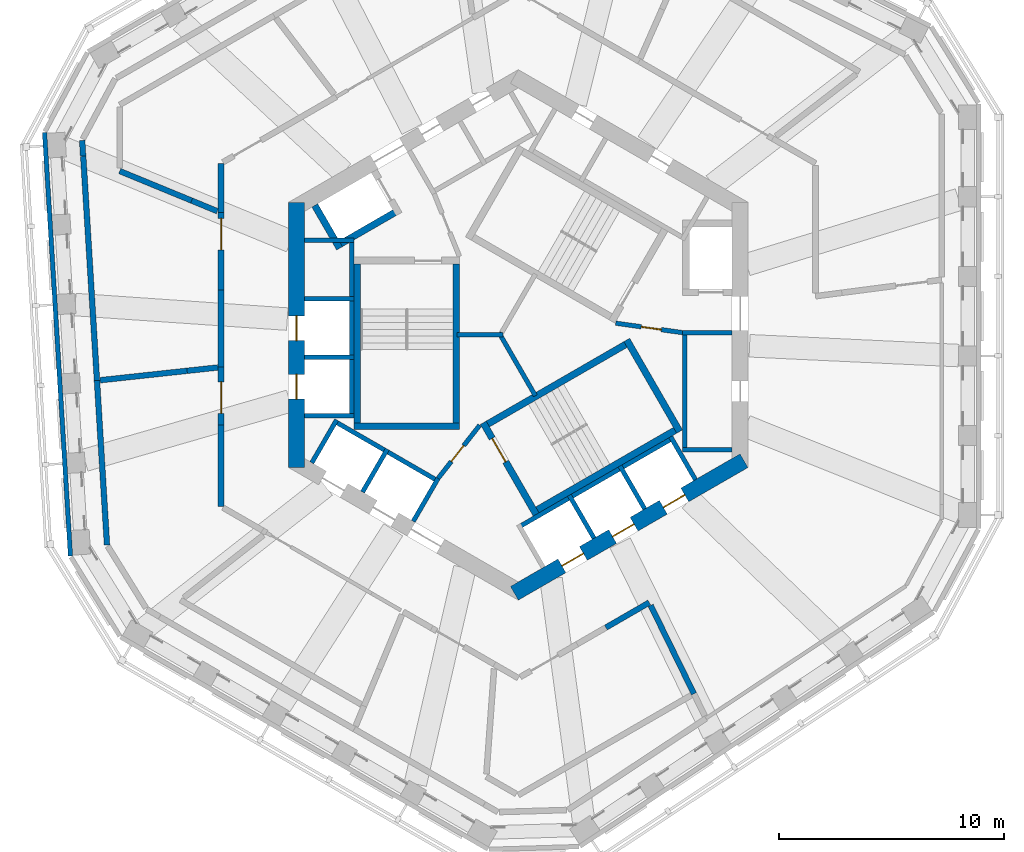
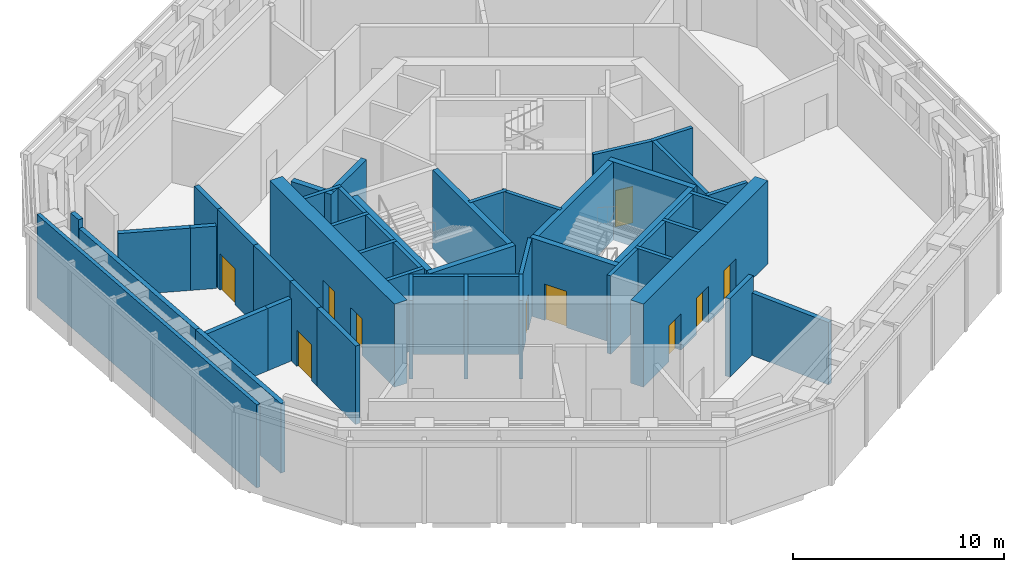
# One storey, part 6 of 14: 46 walls, 10 doors, 10 openings.
"""IFC4 building model written with IfcOpenShell, lengths in metres."""

from ifc_helpers import new_model, si_unit, direction, frame, frame_2d, origin, place, context, subcontext, project, spatial, rectangle, extrude, material, layer, layer_set, type_object, element, fill, save


model = new_model("IFC4")

# Units and contexts
model_context = context("Model", 3, precision=1e-05, world=origin(), true_north=direction((0.0, 1.0)))
body_context = subcontext(model_context, "Body", "Model", "MODEL_VIEW")
ifc_project = project(units=[si_unit("LENGTHUNIT", "METRE"), si_unit("AREAUNIT", "SQUARE_METRE"), si_unit("VOLUMEUNIT", "CUBIC_METRE"), si_unit("PLANEANGLEUNIT", "RADIAN"), si_unit("MASSUNIT", "GRAM", prefix="KILO")], contexts=[model_context])

# Site, building, storey
site_placement = place(None, origin())
site = spatial("IfcSite", under=ifc_project, at=site_placement, CompositionType="ELEMENT")
building_placement = place(site_placement, origin())
building = spatial("IfcBuilding", under=site, at=building_placement, Name="Vanh Sen Convention Tower", CompositionType="ELEMENT")
storey_placement = place(building_placement, frame((0.0, 0.0, 255.0)))
storey = spatial("IfcBuildingStorey", under=building, at=storey_placement, Name="L63", CompositionType="ELEMENT", Elevation=255.0)

# Walls
ifc_material_1 = material(Name="Concrete C40/50", Category="concrete")
ifc_layer_1 = layer(ifc_material_1, 0.25)
ifc_layer_set_1 = layer_set([ifc_layer_1], Name="Concrete C40/50")
wall_type_1 = type_object("IfcWallType", Name="Concrete wall 250 EI 180", PredefinedType="SOLIDWALL", material=ifc_layer_set_1)
wall_1_placement = place(storey_placement, frame((7.79931640625, -15.93408203125, 0.0), z_axis=(0.0, 0.0, 1.0), x_axis=(-0.439688100098, 0.898150530052, 0.0)))
element("IfcWall", 1, at=wall_1_placement, inside=storey, type_object=wall_type_1, Name="Fire-resisting wall L63-012", PredefinedType="SOLIDWALL", context=body_context, shape_type="SweptSolid", body=[
    extrude(rectangle(XDim=4.369384765625, YDim=0.25, at=frame_2d((2.1845703125, 0.0))), origin(), (0.0, 0.0, 1.0), 3.60009765625),
])
wall_2_placement = place(storey_placement, frame((3.889404296875, -12.99658203125, 0.0), z_axis=(0.0, 0.0, 1.0), x_axis=(0.866026623601, 0.49999788721, 0.0)))
element("IfcWall", 2, at=wall_2_placement, inside=storey, type_object=wall_type_1, Name="Fire-resisting wall L63-020", PredefinedType="SOLIDWALL", context=body_context, shape_type="SweptSolid", body=[
    extrude(rectangle(XDim=2.22509765625, YDim=0.25, at=frame_2d((1.112548828125, 0.0))), origin(), (0.0, 0.0, 1.0), 4.52001953125),
])
wall_3_placement = place(storey_placement, frame((-18.264404296875, -9.33251953125, 0.0), z_axis=(0.0, 0.0, 1.0), x_axis=(-0.061013750774, 0.998136925585, 0.0)))
element("IfcWall", 3, at=wall_3_placement, inside=storey, type_object=wall_type_1, Name="Fire-resisting wall L63-026", PredefinedType="SOLIDWALL", context=body_context, shape_type="SweptSolid", body=[
    extrude(rectangle(XDim=7.318603515625, YDim=0.25, at=frame_2d((3.6591796875, 0.0))), origin(), (0.0, 0.0, 1.0), 4.02001953125),
])
wall_4_placement = place(storey_placement, frame((-13.199951171875, -7.62109375, 0.0), z_axis=(0.0, 0.0, 1.0), x_axis=(0.0, 1.0, 0.0)))
element("IfcWall", 4, at=wall_4_placement, inside=storey, type_object=wall_type_1, Name="Fire-resisting wall L63-031", PredefinedType="SOLIDWALL", context=body_context, shape_type="SweptSolid", body=[
    extrude(rectangle(XDim=3.62109375, YDim=0.25, at=frame_2d((1.810546875, 0.0))), origin(), (0.0, 0.0, 1.0), 4.52001953125),
])

# Wall, opening, door
wall_5_placement = place(storey_placement, frame((-13.199951171875, -4.0, 0.0), z_axis=(0.0, 0.0, 1.0), x_axis=(0.0, 1.0, 0.0)))
wall_5 = element("IfcWall", 5, at=wall_5_placement, inside=storey, type_object=wall_type_1, Name="Fire-resisting wall L63-033", PredefinedType="SOLIDWALL", context=body_context, shape_type="SweptSolid", body=[
    extrude(rectangle(XDim=2.569580078125, YDim=0.25, at=frame_2d((1.28466796875, 0.0))), origin(), (0.0, 0.0, 1.0), 4.52001953125),
])
opening_1_placement = place(wall_5_placement, frame((0.51953125, 0.0, 0.0)))
opening_1 = element("IfcOpeningElement", 6, at=opening_1_placement, cuts=wall_5, Name="Opening D63104", PredefinedType="OPENING", context=body_context, shape_type="SweptSolid", body=[
    extrude(rectangle(XDim=1.39990234375, YDim=2.10009765625, at=frame_2d((0.699951171875, 1.050048828125))), frame((0.0, 0.135009765625, 0.0), z_axis=(0.0, -1.0, 0.0), x_axis=(1.0, 0.0, 0.0)), (0.0, 0.0, 1.0), 0.27001953125),
])
ifc_material_2 = material(Name="Steel S355", Category="steel")
door_type_1 = type_object("IfcDoorType", Name="Service door 1400 EI 60", OperationType="SINGLE_SWING_LEFT", PredefinedType="DOOR", material=ifc_material_2)
door_1_placement = place(opening_1_placement, origin())
door_1 = element("IfcDoor", 7, at=door_1_placement, inside=storey, type_object=door_type_1, Name="Service door D63104", OperationType="SINGLE_SWING_LEFT", OverallHeight=2.10009765625, OverallWidth=1.39990234375, PredefinedType="DOOR", context=body_context, shape_type="SweptSolid", body=[
    extrude(rectangle(XDim=1.39990234375, YDim=2.10009765625, at=frame_2d((0.699951171875, 1.050048828125))), frame((0.0, 0.02490234375, 0.0), z_axis=(0.0, -1.0, 0.0), x_axis=(1.0, 0.0, 0.0)), (0.0, 0.0, 1.0), 0.050048828125),
])
fill(opening_1, door_1)

# Walls
wall_6_placement = place(storey_placement, frame((-18.7109375, -2.027587890625, 0.0), z_axis=(0.0, 0.0, 1.0), x_axis=(-0.061055377069, 0.998134380197, 0.0)))
element("IfcWall", 8, at=wall_6_placement, inside=storey, type_object=wall_type_1, Name="Fire-resisting wall L63-034", PredefinedType="SOLIDWALL", context=body_context, shape_type="SweptSolid", body=[
    extrude(rectangle(XDim=9.984619140625, YDim=0.25, at=frame_2d((4.9921875, 0.0))), origin(), (0.0, 0.0, 1.0), 4.02001953125),
])
wall_7_placement = place(storey_placement, frame((-14.70654296875, -1.593505859375, 0.0), z_axis=(0.0, 0.0, 1.0), x_axis=(-0.994177266682, -0.107756959931, 0.0)))
element("IfcWall", 9, at=wall_7_placement, inside=storey, type_object=wall_type_1, Name="Fire-resisting wall L63-035", PredefinedType="SOLIDWALL", context=body_context, shape_type="SweptSolid", body=[
    extrude(rectangle(XDim=3.887939453125, YDim=0.25, at=frame_2d((1.94384765625, 0.0))), origin(), (0.0, 0.0, 1.0), 3.60009765625),
])
wall_8_placement = place(storey_placement, frame((-14.70654296875, -1.593505859375, 0.0), z_axis=(0.0, 0.0, 1.0), x_axis=(0.994197816276, 0.107567198119, 0.0)))
element("IfcWall", 10, at=wall_8_placement, inside=storey, type_object=wall_type_1, Name="Fire-resisting wall L63-036", PredefinedType="SOLIDWALL", context=body_context, shape_type="SweptSolid", body=[
    extrude(rectangle(XDim=1.37548828125, YDim=0.25, at=frame_2d((0.687744140625, 0.0))), origin(), (0.0, 0.0, 1.0), 3.60009765625),
])
wall_9_placement = place(storey_placement, frame((-13.199951171875, -1.430419921875, 0.0), z_axis=(0.0, 0.0, 1.0), x_axis=(0.0, 1.0, 0.0)))
element("IfcWall", 11, at=wall_9_placement, inside=storey, type_object=wall_type_1, Name="Fire-resisting wall L63-037", PredefinedType="SOLIDWALL", context=body_context, shape_type="SweptSolid", body=[
    extrude(rectangle(XDim=3.430419921875, YDim=0.25, at=frame_2d((1.71533203125, 0.0))), origin(), (0.0, 0.0, 1.0), 4.52001953125),
])

# Wall, opening, door
wall_10_placement = place(storey_placement, frame((-13.199951171875, 2.0, 0.0), z_axis=(0.0, 0.0, 1.0), x_axis=(0.0, 1.0, 0.0)))
wall_10 = element("IfcWall", 12, at=wall_10_placement, inside=storey, type_object=wall_type_1, Name="Fire-resisting wall L63-040", PredefinedType="SOLIDWALL", context=body_context, shape_type="SweptSolid", body=[
    extrude(rectangle(XDim=3.427001953125, YDim=0.25, at=frame_2d((1.71337890625, 0.0))), origin(), (0.0, 0.0, 1.0), 4.52001953125),
])
opening_2_placement = place(wall_10_placement, frame((1.777099609375, 0.0, 0.0)))
opening_2 = element("IfcOpeningElement", 13, at=opening_2_placement, cuts=wall_10, Name="Opening D63106", PredefinedType="OPENING", context=body_context, shape_type="SweptSolid", body=[
    extrude(rectangle(XDim=1.39990234375, YDim=2.10009765625, at=frame_2d((0.699951171875, 1.050048828125))), frame((0.0, 0.135009765625, 0.0), z_axis=(0.0, -1.0, 0.0), x_axis=(1.0, 0.0, 0.0)), (0.0, 0.0, 1.0), 0.27001953125),
])
door_2_placement = place(opening_2_placement, origin())
door_2 = element("IfcDoor", 14, at=door_2_placement, inside=storey, type_object=door_type_1, Name="Service door D63106", OperationType="SINGLE_SWING_LEFT", OverallHeight=2.10009765625, OverallWidth=1.39990234375, PredefinedType="DOOR", context=body_context, shape_type="SweptSolid", body=[
    extrude(rectangle(XDim=1.39990234375, YDim=2.10009765625, at=frame_2d((0.699951171875, 1.050048828125))), frame((0.0, 0.02490234375, 0.0), z_axis=(0.0, -1.0, 0.0), x_axis=(1.0, 0.0, 0.0)), (0.0, 0.0, 1.0), 0.050048828125),
])
fill(opening_2, door_2)

# Walls
wall_11_placement = place(storey_placement, frame((-13.199951171875, 5.427001953125, 0.0), z_axis=(0.0, 0.0, 1.0), x_axis=(0.0, 1.0, 0.0)))
element("IfcWall", 15, at=wall_11_placement, inside=storey, type_object=wall_type_1, Name="Fire-resisting wall L63-042", PredefinedType="SOLIDWALL", context=body_context, shape_type="SweptSolid", body=[
    extrude(rectangle(XDim=2.194091796875, YDim=0.25, at=frame_2d((1.09716796875, 0.0))), origin(), (0.0, 0.0, 1.0), 4.52001953125),
])
wall_12_placement = place(storey_placement, frame((-14.506591796875, 5.964111328125, 0.0), z_axis=(0.0, 0.0, 1.0), x_axis=(0.924883043388, -0.380251700922, 0.0)))
element("IfcWall", 16, at=wall_12_placement, inside=storey, type_object=wall_type_1, Name="Fire-resisting wall L63-043", PredefinedType="SOLIDWALL", context=body_context, shape_type="SweptSolid", body=[
    extrude(rectangle(XDim=1.232666015625, YDim=0.25, at=frame_2d((0.6162109375, 0.0))), origin(), (0.0, 0.0, 1.0), 3.60009765625),
])
wall_13_placement = place(storey_placement, frame((-14.506591796875, 5.964111328125, 0.0), z_axis=(0.0, 0.0, 1.0), x_axis=(-0.924874203711, 0.380273200884, 0.0)))
element("IfcWall", 17, at=wall_13_placement, inside=storey, type_object=wall_type_1, Name="Fire-resisting wall L63-044", PredefinedType="SOLIDWALL", context=body_context, shape_type="SweptSolid", body=[
    extrude(rectangle(XDim=3.45263671875, YDim=0.25, at=frame_2d((1.726318359375, 0.0))), origin(), (0.0, 0.0, 1.0), 3.60009765625),
])
wall_14_placement = place(storey_placement, frame((-19.326416015625, 7.948974609375, 0.0), z_axis=(0.0, 0.0, 1.0), x_axis=(-0.060558841692, 0.998164629053, 0.0)))
element("IfcWall", 18, at=wall_14_placement, inside=storey, type_object=wall_type_1, Name="Fire-resisting wall L63-048", PredefinedType="SOLIDWALL", context=body_context, shape_type="SweptSolid", body=[
    extrude(rectangle(XDim=0.693359375, YDim=0.25, at=frame_2d((0.3466796875, 0.0))), origin(), (0.0, 0.0, 1.0), 4.52001953125),
])

# Wall, openings, doors
ifc_material_3 = material(Name="Concrete C60/75", Category="concrete")
ifc_layer_2 = layer(ifc_material_3, 0.699951171875)
ifc_layer_set_2 = layer_set([ifc_layer_2], Name="Concrete C60/75")
wall_type_2 = type_object("IfcWallType", Name="Core outer wall 700 C60/75", PredefinedType="SHEAR", material=ifc_layer_set_2)
wall_15_placement = place(storey_placement, frame((-9.85009765625, 5.888916015625, 0.0), z_axis=(0.0, 0.0, 1.0), x_axis=(0.0, -1.0, 0.0)))
wall_15 = element("IfcWall", 19, at=wall_15_placement, inside=storey, type_object=wall_type_2, Name="Core wall face W L63", PredefinedType="SHEAR", context=body_context, shape_type="SweptSolid", body=[
    extrude(rectangle(XDim=11.77783203125, YDim=0.699951171875, at=frame_2d((5.888916015625, 0.0))), origin(), (0.0, 0.0, 1.0), 4.800048828125),
])
opening_3_placement = place(wall_15_placement, frame((5.0390625, 0.0, 0.0)))
opening_3 = element("IfcOpeningElement", 20, at=opening_3_placement, cuts=wall_15, Name="Opening LD-HR1", PredefinedType="OPENING", context=body_context, shape_type="SweptSolid", body=[
    extrude(rectangle(XDim=1.10009765625, YDim=2.10009765625, at=frame_2d((0.550048828125, 1.050048828125))), frame((0.0, 0.35986328125, 0.0), z_axis=(0.0, -1.0, 0.0), x_axis=(1.0, 0.0, 0.0)), (0.0, 0.0, 1.0), 0.719970703125),
])
opening_4_placement = place(wall_15_placement, frame((7.638916015625, 0.0, 0.0)))
opening_4 = element("IfcOpeningElement", 21, at=opening_4_placement, cuts=wall_15, Name="Opening LD-HR2", PredefinedType="OPENING", context=body_context, shape_type="SweptSolid", body=[
    extrude(rectangle(XDim=1.10009765625, YDim=2.10009765625, at=frame_2d((0.550048828125, 1.050048828125))), frame((0.0, 0.35986328125, 0.0), z_axis=(0.0, -1.0, 0.0), x_axis=(1.0, 0.0, 0.0)), (0.0, 0.0, 1.0), 0.719970703125),
])
ifc_material_4 = material(Name="Stainless steel", Category="steel")
door_type_2 = type_object("IfcDoorType", Name="Lift landing door 1100", OperationType="DOUBLE_DOOR_SLIDING", PredefinedType="DOOR", material=ifc_material_4)
door_3_placement = place(opening_3_placement, origin())
door_3 = element("IfcDoor", 22, at=door_3_placement, inside=storey, type_object=door_type_2, Name="Lift HR1 landing door LD-HR1", OperationType="DOUBLE_DOOR_SLIDING", OverallHeight=2.10009765625, OverallWidth=1.10009765625, PredefinedType="DOOR", context=body_context, shape_type="SweptSolid", body=[
    extrude(rectangle(XDim=1.10009765625, YDim=2.10009765625, at=frame_2d((0.550048828125, 1.050048828125))), frame((0.0, 0.02490234375, 0.0), z_axis=(0.0, -1.0, 0.0), x_axis=(1.0, 0.0, 0.0)), (0.0, 0.0, 1.0), 0.050048828125),
])
fill(opening_3, door_3)
door_4_placement = place(opening_4_placement, origin())
door_4 = element("IfcDoor", 23, at=door_4_placement, inside=storey, type_object=door_type_2, Name="Lift HR2 landing door LD-HR2", OperationType="DOUBLE_DOOR_SLIDING", OverallHeight=2.10009765625, OverallWidth=1.10009765625, PredefinedType="DOOR", context=body_context, shape_type="SweptSolid", body=[
    extrude(rectangle(XDim=1.10009765625, YDim=2.10009765625, at=frame_2d((0.550048828125, 1.050048828125))), frame((0.0, 0.02490234375, 0.0), z_axis=(0.0, -1.0, 0.0), x_axis=(1.0, 0.0, 0.0)), (0.0, 0.0, 1.0), 0.050048828125),
])
fill(opening_4, door_4)

wall_16_placement = place(storey_placement, frame((-0.175048828125, -11.474853515625, 0.0), z_axis=(0.0, 0.0, 1.0), x_axis=(0.866026453023, 0.499998182661, 0.0)))
wall_16 = element("IfcWall", 24, at=wall_16_placement, inside=storey, type_object=wall_type_2, Name="Core wall face SE L63", PredefinedType="SHEAR", context=body_context, shape_type="SweptSolid", body=[
    extrude(rectangle(XDim=11.77783203125, YDim=0.699951171875, at=frame_2d((5.888916015625, 0.0))), origin(), (0.0, 0.0, 1.0), 4.800048828125),
])
opening_5_placement = place(wall_16_placement, frame((2.43896484375, 0.0, 0.0)))
opening_5 = element("IfcOpeningElement", 25, at=opening_5_placement, cuts=wall_16, Name="Opening LD-HR5", PredefinedType="OPENING", context=body_context, shape_type="SweptSolid", body=[
    extrude(rectangle(XDim=1.10009765625, YDim=2.10009765625, at=frame_2d((0.550048828125, 1.050048828125))), frame((0.0, 0.35986328125, 0.0), z_axis=(0.0, -1.0, 0.0), x_axis=(1.0, 0.0, 0.0)), (0.0, 0.0, 1.0), 0.719970703125),
])
opening_6_placement = place(wall_16_placement, frame((5.0390625, 0.0, 0.0)))
opening_6 = element("IfcOpeningElement", 26, at=opening_6_placement, cuts=wall_16, Name="Opening LD-HR6", PredefinedType="OPENING", context=body_context, shape_type="SweptSolid", body=[
    extrude(rectangle(XDim=1.10009765625, YDim=2.10009765625, at=frame_2d((0.550048828125, 1.050048828125))), frame((0.0, 0.35986328125, 0.0), z_axis=(0.0, -1.0, 0.0), x_axis=(1.0, 0.0, 0.0)), (0.0, 0.0, 1.0), 0.719970703125),
])
opening_7_placement = place(wall_16_placement, frame((7.638916015625, 0.0, 0.0)))
opening_7 = element("IfcOpeningElement", 27, at=opening_7_placement, cuts=wall_16, Name="Opening LD-SV1", PredefinedType="OPENING", context=body_context, shape_type="SweptSolid", body=[
    extrude(rectangle(XDim=1.10009765625, YDim=2.10009765625, at=frame_2d((0.550048828125, 1.050048828125))), frame((0.0, 0.35986328125, 0.0), z_axis=(0.0, -1.0, 0.0), x_axis=(1.0, 0.0, 0.0)), (0.0, 0.0, 1.0), 0.719970703125),
])
door_5_placement = place(opening_5_placement, origin())
door_5 = element("IfcDoor", 28, at=door_5_placement, inside=storey, type_object=door_type_2, Name="Lift HR5 landing door LD-HR5", OperationType="DOUBLE_DOOR_SLIDING", OverallHeight=2.10009765625, OverallWidth=1.10009765625, PredefinedType="DOOR", context=body_context, shape_type="SweptSolid", body=[
    extrude(rectangle(XDim=1.10009765625, YDim=2.10009765625, at=frame_2d((0.550048828125, 1.050048828125))), frame((0.0, 0.02490234375, 0.0), z_axis=(0.0, -1.0, 0.0), x_axis=(1.0, 0.0, 0.0)), (0.0, 0.0, 1.0), 0.050048828125),
])
fill(opening_5, door_5)
door_6_placement = place(opening_6_placement, origin())
door_6 = element("IfcDoor", 29, at=door_6_placement, inside=storey, type_object=door_type_2, Name="Lift HR6 landing door LD-HR6", OperationType="DOUBLE_DOOR_SLIDING", OverallHeight=2.10009765625, OverallWidth=1.10009765625, PredefinedType="DOOR", context=body_context, shape_type="SweptSolid", body=[
    extrude(rectangle(XDim=1.10009765625, YDim=2.10009765625, at=frame_2d((0.550048828125, 1.050048828125))), frame((0.0, 0.02490234375, 0.0), z_axis=(0.0, -1.0, 0.0), x_axis=(1.0, 0.0, 0.0)), (0.0, 0.0, 1.0), 0.050048828125),
])
fill(opening_6, door_6)
door_7_placement = place(opening_7_placement, origin())
door_7 = element("IfcDoor", 30, at=door_7_placement, inside=storey, type_object=door_type_2, Name="Lift SV1 landing door LD-SV1", OperationType="DOUBLE_DOOR_SLIDING", OverallHeight=2.10009765625, OverallWidth=1.10009765625, PredefinedType="DOOR", context=body_context, shape_type="SweptSolid", body=[
    extrude(rectangle(XDim=1.10009765625, YDim=2.10009765625, at=frame_2d((0.550048828125, 1.050048828125))), frame((0.0, 0.02490234375, 0.0), z_axis=(0.0, -1.0, 0.0), x_axis=(1.0, 0.0, 0.0)), (0.0, 0.0, 1.0), 0.050048828125),
])
fill(opening_7, door_7)

# Walls
ifc_material_5 = material(Name="Masonry blockwork", Category="masonry")
ifc_layer_3 = layer(ifc_material_5, 0.199951171875)
ifc_layer_set_3 = layer_set([ifc_layer_3], Name="Masonry blockwork")
wall_type_3 = type_object("IfcWallType", Name="Core partition 200", PredefinedType="PARTITIONING", material=ifc_layer_set_3)
wall_17_placement = place(storey_placement, frame((-0.679931640625, 0.0, 0.0), z_axis=(0.0, 0.0, 1.0), x_axis=(-1.0, 0.0, 0.0)))
element("IfcWall", 31, at=wall_17_placement, inside=storey, type_object=wall_type_3, Name="Core partition L63", PredefinedType="PARTITIONING", context=body_context, shape_type="SweptSolid", body=[
    extrude(rectangle(XDim=2.0400390625, YDim=0.199951171875, at=frame_2d((1.02001953125, 0.0))), origin(), (0.0, 0.0, 1.0), 4.52001953125),
])
wall_18_placement = place(storey_placement, frame((-0.860107421875, 0.10400390625, 0.0), z_axis=(0.0, 0.0, 1.0), x_axis=(0.500029011134, -0.866008653551, 0.0)))
element("IfcWall", 32, at=wall_18_placement, inside=storey, type_object=wall_type_3, Name="Core partition L63", PredefinedType="PARTITIONING", context=body_context, shape_type="SweptSolid", body=[
    extrude(rectangle(XDim=3.239990234375, YDim=0.199951171875, at=frame_2d((1.6201171875, 0.0))), origin(), (0.0, 0.0, 1.0), 4.52001953125),
])
ifc_material_6 = material(Name="Insulated lightweight infill wall")
ifc_layer_4 = layer(ifc_material_6, 0.199951171875)
ifc_layer_set_4 = layer_set([ifc_layer_4], Name="Insulated lightweight infill wall")
wall_type_4 = type_object("IfcWallType", Name="External wall 200", PredefinedType="STANDARD", material=ifc_layer_set_4)
wall_19_placement = place(storey_placement, frame((-21.03759765625, 8.983642578125, 0.0), z_axis=(0.0, 0.0, 1.0), x_axis=(0.061043935634, -0.998135079998, 0.0)))
element("IfcWall", 33, at=wall_19_placement, inside=storey, type_object=wall_type_4, Name="External wall W L63", PredefinedType="STANDARD", context=body_context, shape_type="SweptSolid", body=[
    extrude(rectangle(XDim=18.84130859375, YDim=0.199951171875, at=frame_2d((9.420654296875, 0.0))), origin(), (0.0, 0.0, 1.0), 4.800048828125),
])
ifc_layer_5 = layer(ifc_material_3, 0.300048828125)
ifc_layer_set_5 = layer_set([ifc_layer_5], Name="Concrete C60/75")
wall_type_5 = type_object("IfcWallType", Name="Fire-fighting lift shaft wall 300", PredefinedType="SHEAR", material=ifc_layer_set_5)
wall_20_placement = place(storey_placement, frame((-5.240478515625, 5.576904296875, 0.0), z_axis=(0.0, 0.0, 1.0), x_axis=(-0.866014461049, -0.500018952895, 0.0)))
element("IfcWall", 34, at=wall_20_placement, inside=storey, type_object=wall_type_5, Name="Fire-fighting lift shaft wall L63", PredefinedType="SHEAR", context=body_context, shape_type="SweptSolid", body=[
    extrude(rectangle(XDim=3.349853515625, YDim=0.300048828125, at=frame_2d((1.6748046875, 0.0))), origin(), (0.0, 0.0, 1.0), 4.52001953125),
])
wall_21_placement = place(storey_placement, frame((-7.936767578125, 3.846923828125, 0.0), z_axis=(0.0, 0.0, 1.0), x_axis=(-0.50002983664, 0.866008176907, 0.0)))
element("IfcWall", 35, at=wall_21_placement, inside=storey, type_object=wall_type_5, Name="Fire-fighting lift shaft wall L63", PredefinedType="SHEAR", context=body_context, shape_type="SweptSolid", body=[
    extrude(rectangle(XDim=2.199951171875, YDim=0.300048828125, at=frame_2d((1.10009765625, 0.0))), origin(), (0.0, 0.0, 1.0), 4.52001953125),
])
ifc_layer_6 = layer(ifc_material_1, 0.199951171875)
ifc_layer_set_6 = layer_set([ifc_layer_6], Name="Concrete C40/50")
wall_type_6 = type_object("IfcWallType", Name="Lift shaft wall 200", PredefinedType="PARTITIONING", material=ifc_layer_set_6)
wall_22_placement = place(storey_placement, frame((7.39990234375, -5.199951171875, 0.0), z_axis=(0.0, 0.0, 1.0), x_axis=(0.0, 1.0, 0.0)))
element("IfcWall", 36, at=wall_22_placement, inside=storey, type_object=wall_type_6, Name="Lift shaft wall L63", PredefinedType="PARTITIONING", context=body_context, shape_type="SweptSolid", body=[
    extrude(rectangle(XDim=5.39990234375, YDim=0.199951171875, at=frame_2d((2.699951171875, 0.0))), origin(), (0.0, 0.0, 1.0), 4.52001953125),
])
for number, where, z_axis, x_axis, name in (
    (37, (7.300048828125, -5.10009765625, 0.0), (0.0, 0.0, 1.0), (1.0, 0.0, 0.0), "Lift shaft wall L63"),
    (38, (7.300048828125, 0.10009765625, 0.0), (0.0, 0.0, 1.0), (1.0, 0.0, 0.0), "Lift shaft wall L63"),
):
    element("IfcWall", number, at=place(storey_placement, frame(where, z_axis=z_axis, x_axis=x_axis)), inside=storey, type_object=wall_type_6, Name=name, PredefinedType="PARTITIONING", context=body_context, shape_type="SweptSolid", body=[
        extrude(rectangle(XDim=2.199951171875, YDim=0.199951171875, at=frame_2d((1.10009765625, 0.0))), origin(), (0.0, 0.0, 1.0), 4.52001953125),
    ])
wall_23_placement = place(storey_placement, frame((-7.39990234375, 4.300048828125, 0.0), z_axis=(0.0, 0.0, 1.0), x_axis=(0.0, -1.0, 0.0)))
element("IfcWall", 39, at=wall_23_placement, inside=storey, type_object=wall_type_6, Name="Lift shaft wall L63", PredefinedType="PARTITIONING", context=body_context, shape_type="SweptSolid", body=[
    extrude(rectangle(XDim=8.0, YDim=0.199951171875, at=frame_2d((4.0, 0.0))), origin(), (0.0, 0.0, 1.0), 4.52001953125),
])
for number, where, z_axis, x_axis, name in (
    (40, (-7.300048828125, 4.199951171875, 0.0), (0.0, 0.0, 1.0), (-1.0, 0.0, 0.0), "Lift shaft wall L63"),
    (41, (-7.300048828125, 1.60009765625, 0.0), (0.0, 0.0, 1.0), (-1.0, 0.0, 0.0), "Lift shaft wall L63"),
    (42, (-7.300048828125, -1.0, 0.0), (0.0, 0.0, 1.0), (-1.0, 0.0, 0.0), "Lift shaft wall L63"),
    (43, (-7.300048828125, -3.60009765625, 0.0), (0.0, 0.0, 1.0), (-1.0, 0.0, 0.0), "Lift shaft wall L63"),
):
    element("IfcWall", number, at=place(storey_placement, frame(where, z_axis=z_axis, x_axis=x_axis)), inside=storey, type_object=wall_type_6, Name=name, PredefinedType="PARTITIONING", context=body_context, shape_type="SweptSolid", body=[
        extrude(rectangle(XDim=2.199951171875, YDim=0.199951171875, at=frame_2d((1.10009765625, 0.0))), origin(), (0.0, 0.0, 1.0), 4.52001953125),
    ])
wall_24_placement = place(storey_placement, frame((-8.203369140625, -3.80859375, 0.0), z_axis=(0.0, 0.0, 1.0), x_axis=(0.866028230842, -0.499995103361, 0.0)))
element("IfcWall", 44, at=wall_24_placement, inside=storey, type_object=wall_type_6, Name="Lift shaft wall L63", PredefinedType="PARTITIONING", context=body_context, shape_type="SweptSolid", body=[
    extrude(rectangle(XDim=5.39990234375, YDim=0.199951171875, at=frame_2d((2.699951171875, 0.0))), origin(), (0.0, 0.0, 1.0), 4.52001953125),
])
for number, where, z_axis, x_axis, name in (
    (45, (-8.066650390625, -3.77197265625, 0.0), (0.0, 0.0, 1.0), (-0.50002983664, -0.866008176907, 0.0), "Lift shaft wall L63"),
    (46, (-5.815185546875, -5.072021484375, 0.0), (0.0, 0.0, 1.0), (-0.499946605688, -0.86605622881, 0.0), "Lift shaft wall L63"),
):
    element("IfcWall", number, at=place(storey_placement, frame(where, z_axis=z_axis, x_axis=x_axis)), inside=storey, type_object=wall_type_6, Name=name, PredefinedType="PARTITIONING", context=body_context, shape_type="SweptSolid", body=[
        extrude(rectangle(XDim=2.199951171875, YDim=0.199951171875, at=frame_2d((1.10009765625, 0.0))), origin(), (0.0, 0.0, 1.0), 4.52001953125),
    ])
wall_25_placement = place(storey_placement, frame((-3.5634765625, -6.3720703125, 0.0), z_axis=(0.0, 0.0, 1.0), x_axis=(-0.499994660107, -0.866028486751, 0.0)))
element("IfcWall", 47, at=wall_25_placement, inside=storey, type_object=wall_type_6, Name="Lift shaft wall L63", PredefinedType="PARTITIONING", context=body_context, shape_type="SweptSolid", body=[
    extrude(rectangle(XDim=2.19970703125, YDim=0.199951171875, at=frame_2d((1.099853515625, 0.0))), origin(), (0.0, 0.0, 1.0), 4.52001953125),
])
wall_26_placement = place(storey_placement, frame((-0.02392578125, -8.55859375, 0.0), z_axis=(0.0, 0.0, 1.0), x_axis=(0.866026010844, 0.49999894854, 0.0)))
element("IfcWall", 48, at=wall_26_placement, inside=storey, type_object=wall_type_6, Name="Lift shaft wall L63", PredefinedType="PARTITIONING", context=body_context, shape_type="SweptSolid", body=[
    extrude(rectangle(XDim=8.0, YDim=0.199951171875, at=frame_2d((4.0, 0.0))), origin(), (0.0, 0.0, 1.0), 4.52001953125),
])
for number, where, z_axis, x_axis, name in (
    (49, (2.264404296875, -7.1220703125, 0.0), (0.0, 0.0, 1.0), (0.500077893725, -0.86598042715, 0.0), "Lift shaft wall L63"),
    (50, (4.51611328125, -5.822021484375, 0.0), (0.0, 0.0, 1.0), (0.499946605688, -0.86605622881, 0.0), "Lift shaft wall L63"),
    (51, (6.767578125, -4.52197265625, 0.0), (0.0, 0.0, 1.0), (0.50002983664, -0.866008176907, 0.0), "Lift shaft wall L63"),
):
    element("IfcWall", number, at=place(storey_placement, frame(where, z_axis=z_axis, x_axis=x_axis)), inside=storey, type_object=wall_type_6, Name=name, PredefinedType="PARTITIONING", context=body_context, shape_type="SweptSolid", body=[
        extrude(rectangle(XDim=2.199951171875, YDim=0.199951171875, at=frame_2d((1.10009765625, 0.0))), origin(), (0.0, 0.0, 1.0), 4.52001953125),
    ])

# Wall, opening, door
ifc_layer_7 = layer(ifc_material_1, 0.199951171875)
ifc_layer_set_7 = layer_set([ifc_layer_7], Name="Concrete C40/50")
wall_type_7 = type_object("IfcWallType", Name="Stair lobby wall 200", PredefinedType="PARTITIONING", material=ifc_layer_set_7)
wall_27_placement = place(storey_placement, frame((4.327392578125, 0.52099609375, 0.0), z_axis=(0.0, 0.0, 1.0), x_axis=(0.990124376366, -0.14019172346, 0.0)))
wall_27 = element("IfcWall", 52, at=wall_27_placement, inside=storey, type_object=wall_type_7, Name="Stair lobby wall L63", PredefinedType="PARTITIONING", context=body_context, shape_type="SweptSolid", body=[
    extrude(rectangle(XDim=3.002197265625, YDim=0.199951171875, at=frame_2d((1.5009765625, 0.0))), origin(), (0.0, 0.0, 1.0), 4.52001953125),
])
opening_8_placement = place(wall_27_placement, frame((1.14990234375, 0.0, 0.0)))
opening_8 = element("IfcOpeningElement", 53, at=opening_8_placement, cuts=wall_27, Name="Opening D63007", PredefinedType="OPENING", context=body_context, shape_type="SweptSolid", body=[
    extrude(rectangle(XDim=0.89990234375, YDim=2.10009765625, at=frame_2d((0.449951171875, 1.050048828125))), frame((0.0, 0.10986328125, 0.0), z_axis=(0.0, -1.0, 0.0), x_axis=(1.0, 0.0, 0.0)), (0.0, 0.0, 1.0), 0.219970703125),
])
ifc_material_7 = material(Name="Steel S355", Category="steel")
door_type_3 = type_object("IfcDoorType", Name="Plant door 900", OperationType="SINGLE_SWING_LEFT", PredefinedType="DOOR", material=ifc_material_7)
door_8_placement = place(opening_8_placement, origin())
door_8 = element("IfcDoor", 54, at=door_8_placement, inside=storey, type_object=door_type_3, Name="Plant door D63007", OperationType="SINGLE_SWING_LEFT", OverallHeight=2.10009765625, OverallWidth=0.89990234375, PredefinedType="DOOR", context=body_context, shape_type="SweptSolid", body=[
    extrude(rectangle(XDim=0.89990234375, YDim=2.10009765625, at=frame_2d((0.449951171875, 1.050048828125))), frame((0.0, 0.02490234375, 0.0), z_axis=(0.0, -1.0, 0.0), x_axis=(1.0, 0.0, 0.0)), (0.0, 0.0, 1.0), 0.050048828125),
])
fill(opening_8, door_8)

wall_28_placement = place(storey_placement, frame((-1.71240234375, -4.00830078125, 0.0), z_axis=(0.0, 0.0, 1.0), x_axis=(-0.616549420702, -0.787316208287, 0.0)))
wall_28 = element("IfcWall", 55, at=wall_28_placement, inside=storey, type_object=wall_type_7, Name="Stair lobby wall L63", PredefinedType="PARTITIONING", context=body_context, shape_type="SweptSolid", body=[
    extrude(rectangle(XDim=3.002197265625, YDim=0.199951171875, at=frame_2d((1.5009765625, 0.0))), origin(), (0.0, 0.0, 1.0), 4.52001953125),
])
opening_9_placement = place(wall_28_placement, frame((1.14990234375, 0.0, 0.0)))
opening_9 = element("IfcOpeningElement", 56, at=opening_9_placement, cuts=wall_28, Name="Opening D63009", PredefinedType="OPENING", context=body_context, shape_type="SweptSolid", body=[
    extrude(rectangle(XDim=0.89990234375, YDim=2.10009765625, at=frame_2d((0.449951171875, 1.050048828125))), frame((0.0, 0.10986328125, 0.0), z_axis=(0.0, -1.0, 0.0), x_axis=(1.0, 0.0, 0.0)), (0.0, 0.0, 1.0), 0.219970703125),
])
door_9_placement = place(opening_9_placement, origin())
door_9 = element("IfcDoor", 57, at=door_9_placement, inside=storey, type_object=door_type_3, Name="Plant door D63009", OperationType="SINGLE_SWING_LEFT", OverallHeight=2.10009765625, OverallWidth=0.89990234375, PredefinedType="DOOR", context=body_context, shape_type="SweptSolid", body=[
    extrude(rectangle(XDim=0.89990234375, YDim=2.10009765625, at=frame_2d((0.449951171875, 1.050048828125))), frame((0.0, 0.02490234375, 0.0), z_axis=(0.0, -1.0, 0.0), x_axis=(1.0, 0.0, 0.0)), (0.0, 0.0, 1.0), 0.050048828125),
])
fill(opening_9, door_9)

# Walls
ifc_layer_8 = layer(ifc_material_3, 0.300048828125)
ifc_layer_set_8 = layer_set([ifc_layer_8], Name="Concrete C60/75")
wall_type_8 = type_object("IfcWallType", Name="Stair wall 300", PredefinedType="SHEAR", material=ifc_layer_set_8)
wall_29_placement = place(storey_placement, frame((-2.60009765625, -4.06005859375, 0.0), z_axis=(0.0, 0.0, 1.0), x_axis=(-1.0, 0.0, 0.0)))
element("IfcWall", 58, at=wall_29_placement, inside=storey, type_object=wall_type_8, Name="Stair wall L63", PredefinedType="SHEAR", context=body_context, shape_type="SweptSolid", body=[
    extrude(rectangle(XDim=4.699951171875, YDim=0.300048828125, at=frame_2d((2.35009765625, 0.0))), origin(), (0.0, 0.0, 1.0), 4.52001953125),
])
for number, where, z_axis, x_axis, name in (
    (59, (-2.75, 3.14990234375, 0.0), (0.0, 0.0, 1.0), (0.0, -1.0, 0.0), "Stair wall L63"),
    (60, (-7.14990234375, 3.14990234375, 0.0), (0.0, 0.0, 1.0), (0.0, -1.0, 0.0), "Stair wall L63"),
):
    element("IfcWall", number, at=place(storey_placement, frame(where, z_axis=z_axis, x_axis=x_axis)), inside=storey, type_object=wall_type_8, Name=name, PredefinedType="SHEAR", context=body_context, shape_type="SweptSolid", body=[
        extrude(rectangle(XDim=7.059814453125, YDim=0.300048828125, at=frame_2d((3.52978515625, 0.0))), origin(), (0.0, 0.0, 1.0), 4.52001953125),
    ])

# Wall, opening, door
wall_30_placement = place(storey_placement, frame((-1.557861328125, -3.901611328125, 0.0), z_axis=(0.0, 0.0, 1.0), x_axis=(0.499977259774, -0.866038532462, 0.0)))
wall_30 = element("IfcWall", 61, at=wall_30_placement, inside=storey, type_object=wall_type_8, Name="Stair wall L63", PredefinedType="SHEAR", context=body_context, shape_type="SweptSolid", body=[
    extrude(rectangle(XDim=4.699951171875, YDim=0.300048828125, at=frame_2d((2.35009765625, 0.0))), origin(), (0.0, 0.0, 1.0), 4.52001953125),
])
opening_10_placement = place(wall_30_placement, frame((0.800048828125, 0.0, 0.0)))
opening_10 = element("IfcOpeningElement", 62, at=opening_10_placement, cuts=wall_30, Name="Opening D63006", PredefinedType="OPENING", context=body_context, shape_type="SweptSolid", body=[
    extrude(rectangle(XDim=1.199951171875, YDim=2.10009765625, at=frame_2d((0.60009765625, 1.050048828125))), frame((0.0, 0.159912109375, 0.0), z_axis=(0.0, -1.0, 0.0), x_axis=(1.0, 0.0, 0.0)), (0.0, 0.0, 1.0), 0.320068359375),
])
door_type_4 = type_object("IfcDoorType", Name="Stair door 1200", OperationType="SINGLE_SWING_RIGHT", PredefinedType="DOOR", material=ifc_material_7)
door_10_placement = place(opening_10_placement, origin())
door_10 = element("IfcDoor", 63, at=door_10_placement, inside=storey, type_object=door_type_4, Name="Stair ST3 door D63006", OperationType="SINGLE_SWING_RIGHT", OverallHeight=2.10009765625, OverallWidth=1.199951171875, PredefinedType="DOOR", context=body_context, shape_type="SweptSolid", body=[
    extrude(rectangle(XDim=1.199951171875, YDim=2.10009765625, at=frame_2d((0.60009765625, 1.050048828125))), frame((0.0, 0.02490234375, 0.0), z_axis=(0.0, -1.0, 0.0), x_axis=(1.0, 0.0, 0.0)), (0.0, 0.0, 1.0), 0.050048828125),
])
fill(opening_10, door_10)

# Walls
wall_31_placement = place(storey_placement, frame((4.816162109375, -0.2216796875, 0.0), z_axis=(0.0, 0.0, 1.0), x_axis=(0.499977259774, -0.866038532462, 0.0)))
element("IfcWall", 64, at=wall_31_placement, inside=storey, type_object=wall_type_8, Name="Stair wall L63", PredefinedType="SHEAR", context=body_context, shape_type="SweptSolid", body=[
    extrude(rectangle(XDim=4.699951171875, YDim=0.300048828125, at=frame_2d((2.35009765625, 0.0))), origin(), (0.0, 0.0, 1.0), 4.52001953125),
])
for number, where, z_axis, x_axis, name in (
    (65, (-1.35302734375, -3.95654296875, 0.0), (0.0, 0.0, 1.0), (0.866027801685, 0.499995846692, 0.0), "Stair wall L63"),
    (66, (0.846923828125, -7.76708984375, 0.0), (0.0, 0.0, 1.0), (0.866027801685, 0.499995846692, 0.0), "Stair wall L63"),
):
    element("IfcWall", number, at=place(storey_placement, frame(where, z_axis=z_axis, x_axis=x_axis)), inside=storey, type_object=wall_type_8, Name=name, PredefinedType="SHEAR", context=body_context, shape_type="SweptSolid", body=[
        extrude(rectangle(XDim=7.06005859375, YDim=0.300048828125, at=frame_2d((3.530029296875, 0.0))), origin(), (0.0, 0.0, 1.0), 4.52001953125),
    ])

save(model, "model.ifc")
